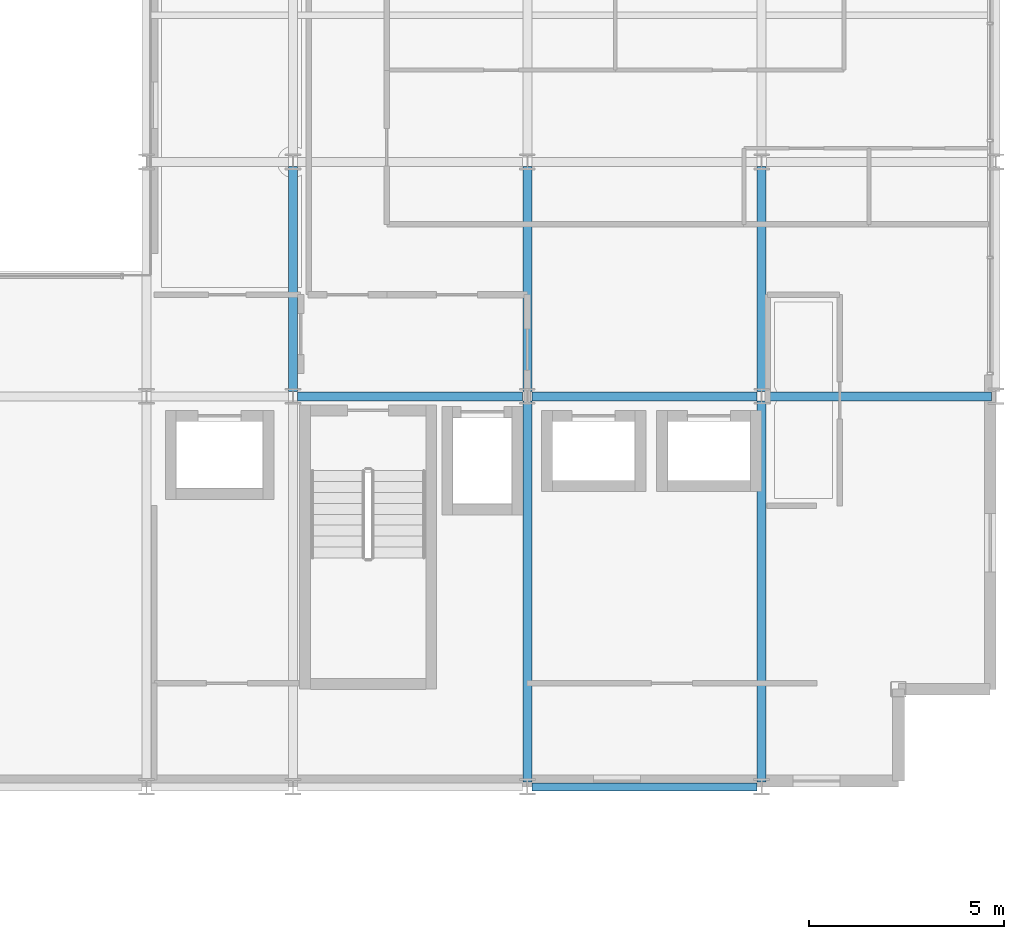
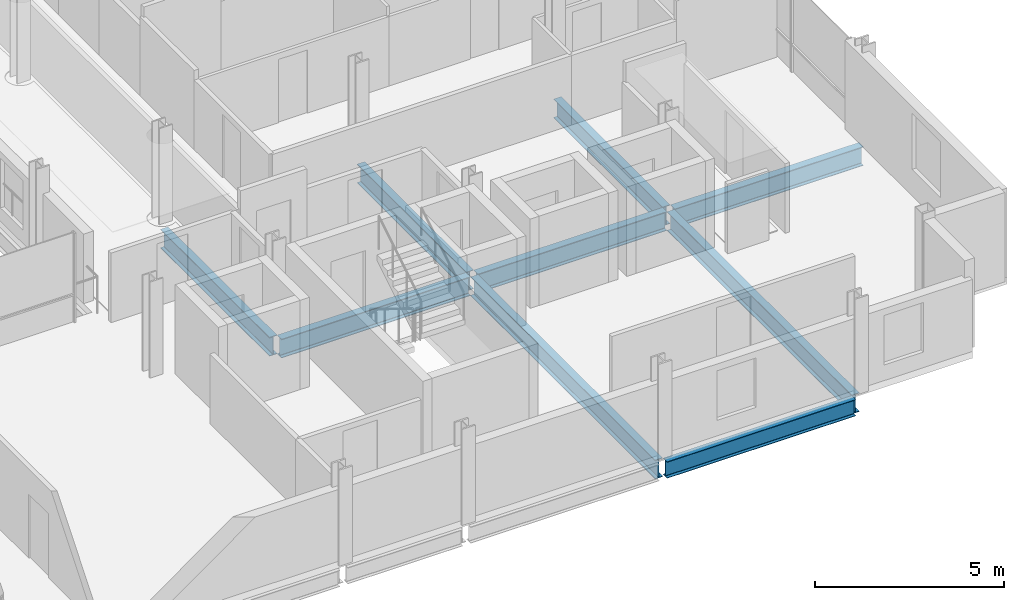
# One storey, part 16 of 41: 9 beams.
"""IFC4 building model written with IfcOpenShell, lengths in metres."""

from ifc_helpers import new_model, si_unit, direction, frame, origin, origin_2d, place, context, subcontext, project, spatial, i_section, extrude, material, material_profile, profile_set, type_object, element, save


model = new_model("IFC4")

# Units and contexts
model_context = context("Model", 3, precision=1e-05, world=origin(), true_north=direction((0.0, 1.0)))
body_context = subcontext(model_context, "Body", "Model", "MODEL_VIEW")
ifc_project = project(units=[si_unit("LENGTHUNIT", "METRE"), si_unit("AREAUNIT", "SQUARE_METRE"), si_unit("VOLUMEUNIT", "CUBIC_METRE"), si_unit("PLANEANGLEUNIT", "RADIAN"), si_unit("MASSUNIT", "GRAM", prefix="KILO")], contexts=[model_context])

# Site, building, storey
site_placement = place(None, origin())
site = spatial("IfcSite", under=ifc_project, at=site_placement, CompositionType="ELEMENT")
building_placement = place(site_placement, origin())
building = spatial("IfcBuilding", under=site, at=building_placement, Name="Brevholm Reach", CompositionType="ELEMENT")
storey_placement = place(building_placement, frame((0.0, 0.0, 138.699951171875)))
storey = spatial("IfcBuildingStorey", under=building, at=storey_placement, Name="L41", CompositionType="ELEMENT", Elevation=138.699951171875)

# Beams
ifc_material_1 = material(Name="Structural Steel S355J2", Category="steel")
ifc_material_profile_1 = material_profile(ifc_material_1, i_section(OverallWidth=0.209228515625, OverallDepth=0.533203125, WebThickness=0.010009765625, FlangeThickness=0.015625, FilletRadius=0.0126953125, at=origin_2d()), Name="UKB 533x210x92")
ifc_profile_set_1 = profile_set([ifc_material_profile_1], Name="Structural Steel S355J2")
beam_type_1 = type_object("IfcBeamType", Name="BM-SP533", PredefinedType="SPANDREL", material=ifc_profile_set_1)
beam_1_placement = place(storey_placement, frame((48.1201171875, 0.0, -0.486572265625), z_axis=(1.0, 0.0, 0.0), x_axis=(0.0, 1.0, 0.0)))
element("IfcBeam", 1, at=beam_1_placement, inside=storey, type_object=beam_type_1, Name="L41 SP-02 Framing Beam", PredefinedType="SPANDREL", context=body_context, shape_type="SweptSolid", body=[
    extrude(i_section(OverallWidth=0.209228515625, OverallDepth=0.533203125, WebThickness=0.010009765625, FlangeThickness=0.015625, FilletRadius=0.0126953125, at=origin_2d()), origin(), (0.0, 0.0, 1.0), 5.759765625),
])
ifc_material_2 = material(Name="Structural Steel S355J2", Category="steel")
ifc_material_profile_2 = material_profile(ifc_material_2, i_section(OverallWidth=0.22900390625, OverallDepth=0.6123046875, WebThickness=0.011962890625, FlangeThickness=0.01953125, FilletRadius=0.0126953125, at=origin_2d()), Name="UKB 610x229x125")
ifc_profile_set_2 = profile_set([ifc_material_profile_2], Name="Structural Steel S355J2")
beam_type_2 = type_object("IfcBeamType", Name="BM-SP610", PredefinedType="SPANDREL", material=ifc_profile_set_2)
for number, where, z_axis, x_axis, name in (
    (2, (42.1201171875, 10.0, -0.526123046875), (1.0, 0.0, 0.0), (0.0, 1.0, 0.0), "L41 SP-01 Framing Beam"),
    (3, (48.1201171875, 10.0, -0.526123046875), (1.0, 0.0, 0.0), (0.0, 1.0, 0.0), "L41 SP-01 Framing Beam"),
    (4, (54.1201171875, 10.0, -0.526123046875), (1.0, 0.0, 0.0), (0.0, 1.0, 0.0), "L41 SP-01 Framing Beam"),
    (5, (42.0, 10.1201171875, -0.526123046875), (0.0, 1.0, 0.0), (-1.0, 0.0, 0.0), "L41 SP-01 Framing Beam"),
):
    element("IfcBeam", number, at=place(storey_placement, frame(where, z_axis=z_axis, x_axis=x_axis)), inside=storey, type_object=beam_type_2, Name=name, PredefinedType="SPANDREL", context=body_context, shape_type="SweptSolid", body=[
        extrude(i_section(OverallWidth=0.22900390625, OverallDepth=0.6123046875, WebThickness=0.011962890625, FlangeThickness=0.01953125, FilletRadius=0.0126953125, at=origin_2d()), origin(), (0.0, 0.0, 1.0), 5.759765625),
    ])
beam_2_placement = place(storey_placement, frame((48.0, 0.1201171875, -0.526123046875), z_axis=(0.0, 1.0, 0.0), x_axis=(-1.0, 0.0, 0.0)))
element("IfcBeam", 6, at=beam_2_placement, inside=storey, type_object=beam_type_2, Name="L41 SP-01 Framing Beam", PredefinedType="SPANDREL", context=body_context, shape_type="SweptSolid", body=[
    extrude(i_section(OverallWidth=0.22900390625, OverallDepth=0.6123046875, WebThickness=0.011962890625, FlangeThickness=0.01953125, FilletRadius=0.0126953125, at=origin_2d()), origin(), (0.0, 0.0, 1.0), 9.759765625),
])
beam_3_placement = place(storey_placement, frame((48.0, 10.1201171875, -0.526123046875), z_axis=(0.0, 1.0, 0.0), x_axis=(-1.0, 0.0, 0.0)))
element("IfcBeam", 7, at=beam_3_placement, inside=storey, type_object=beam_type_2, Name="L41 SP-01 Framing Beam", PredefinedType="SPANDREL", context=body_context, shape_type="SweptSolid", body=[
    extrude(i_section(OverallWidth=0.22900390625, OverallDepth=0.6123046875, WebThickness=0.011962890625, FlangeThickness=0.01953125, FilletRadius=0.0126953125, at=origin_2d()), origin(), (0.0, 0.0, 1.0), 5.759765625),
])
beam_4_placement = place(storey_placement, frame((54.0, 0.1201171875, -0.526123046875), z_axis=(0.0, 1.0, 0.0), x_axis=(-1.0, 0.0, 0.0)))
element("IfcBeam", 8, at=beam_4_placement, inside=storey, type_object=beam_type_2, Name="L41 SP-01 Framing Beam", PredefinedType="SPANDREL", context=body_context, shape_type="SweptSolid", body=[
    extrude(i_section(OverallWidth=0.22900390625, OverallDepth=0.6123046875, WebThickness=0.011962890625, FlangeThickness=0.01953125, FilletRadius=0.0126953125, at=origin_2d()), origin(), (0.0, 0.0, 1.0), 9.759765625),
])
beam_5_placement = place(storey_placement, frame((54.0, 10.1201171875, -0.526123046875), z_axis=(0.0, 1.0, 0.0), x_axis=(-1.0, 0.0, 0.0)))
element("IfcBeam", 9, at=beam_5_placement, inside=storey, type_object=beam_type_2, Name="L41 SP-01 Framing Beam", PredefinedType="SPANDREL", context=body_context, shape_type="SweptSolid", body=[
    extrude(i_section(OverallWidth=0.22900390625, OverallDepth=0.6123046875, WebThickness=0.011962890625, FlangeThickness=0.01953125, FilletRadius=0.0126953125, at=origin_2d()), origin(), (0.0, 0.0, 1.0), 5.759765625),
])

save(model, "model.ifc")
